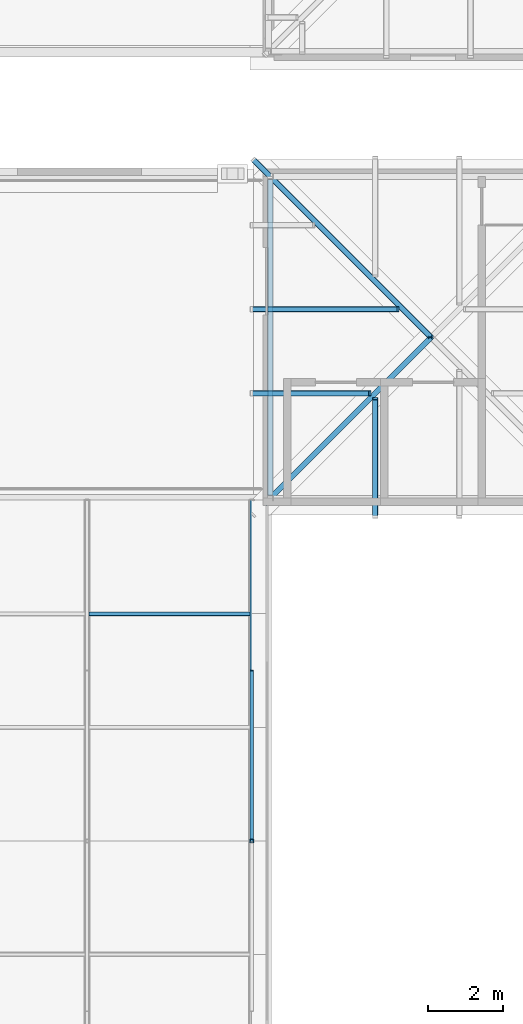
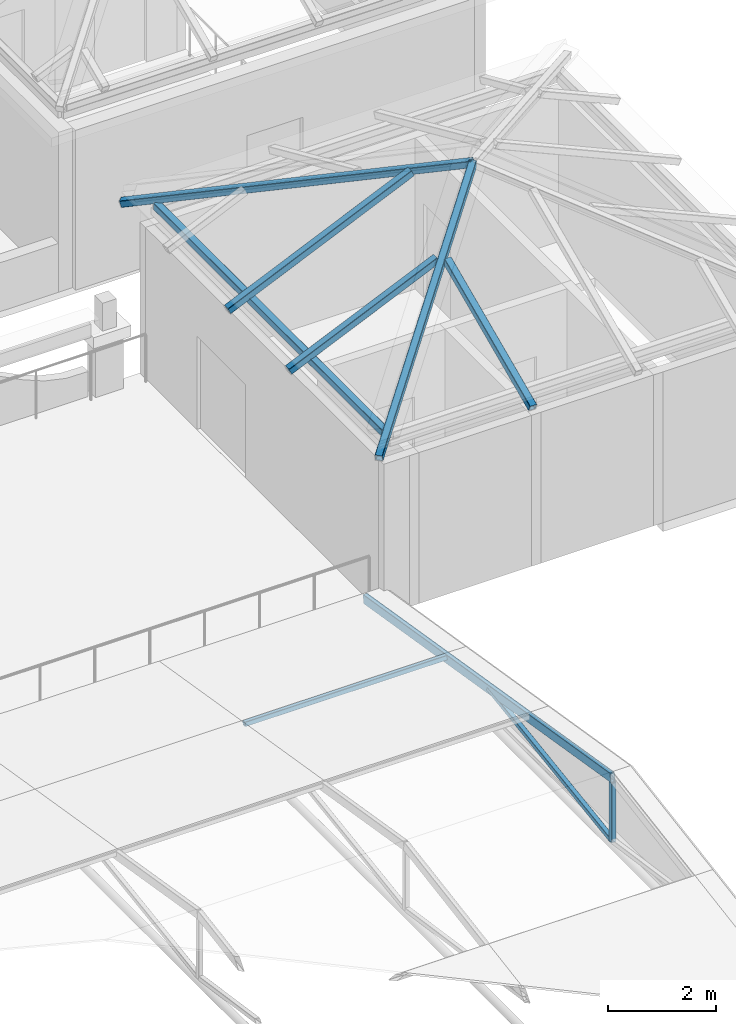
# One storey, part 12 of 69: 10 members.
"""IFC4 building model written with IfcOpenShell, lengths in metres."""

from ifc_helpers import new_model, si_unit, direction, frame, origin, origin_2d, place, context, subcontext, project, spatial, hollow_rectangle, extrude, material, material_profile, profile_set, type_object, element, save


model = new_model("IFC4")

# Units and contexts
model_context = context("Model", 3, precision=1e-05, world=origin(), true_north=direction((0.0, 1.0)))
body_context = subcontext(model_context, "Body", "Model", "MODEL_VIEW")
ifc_project = project(units=[si_unit("LENGTHUNIT", "METRE"), si_unit("AREAUNIT", "SQUARE_METRE"), si_unit("VOLUMEUNIT", "CUBIC_METRE"), si_unit("PLANEANGLEUNIT", "RADIAN"), si_unit("MASSUNIT", "GRAM", prefix="KILO")], contexts=[model_context])

# Site, building, storey
site_placement = place(None, origin())
site = spatial("IfcSite", under=ifc_project, at=site_placement, CompositionType="ELEMENT")
building_placement = place(site_placement, origin())
building = spatial("IfcBuilding", under=site, at=building_placement, Name="Kallimachos Central Library", CompositionType="ELEMENT")
storey_placement = place(building_placement, frame((0.0, 0.0, 23.39990234375)))
storey = spatial("IfcBuildingStorey", under=building, at=storey_placement, Name="L05", CompositionType="ELEMENT", Elevation=23.39990234375)

# Members
ifc_material_1 = material(Name="Steel S355J2H", Category="steel")
ifc_material_profile_1 = material_profile(ifc_material_1, hollow_rectangle(XDim=0.10009765625, YDim=0.199951171875, WallThickness=0.008056640625, InnerFilletRadius=0.008056640625, OuterFilletRadius=0.011962890625, at=origin_2d()), Name="RHS 200x100x8")
ifc_profile_set_1 = profile_set([ifc_material_profile_1], Name="Steel S355J2H")
member_type_1 = type_object("IfcMemberType", Name="RHS 200x100x8 rafter", PredefinedType="RAFTER", material=ifc_profile_set_1)
member_1_placement = place(storey_placement, frame((101.199951171875, 75.14990234375, 0.391357421875), z_axis=(0.0, -0.986728292904, 0.162380035666), x_axis=(1.0, 0.0, 0.0)))
element("IfcMember", 1, at=member_1_placement, inside=storey, type_object=member_type_1, Name="V4-MEM-L05-078", PredefinedType="RAFTER", context=body_context, shape_type="SweptSolid", body=[
    extrude(hollow_rectangle(XDim=0.10009765625, YDim=0.199951171875, WallThickness=0.008056640625, InnerFilletRadius=0.008056640625, OuterFilletRadius=0.011962890625, at=origin_2d()), origin(), (0.0, 0.0, 1.0), 9.237548828125),
])
ifc_material_2 = material(Name="Steel S355J2H", Category="steel")
ifc_material_profile_2 = material_profile(ifc_material_2, hollow_rectangle(XDim=0.10009765625, YDim=0.10009765625, WallThickness=0.008056640625, InnerFilletRadius=0.008056640625, OuterFilletRadius=0.011962890625, at=origin_2d()), Name="SHS 100x100x8")
ifc_profile_set_2 = profile_set([ifc_material_profile_2], Name="Steel S355J2H")
member_type_2 = type_object("IfcMemberType", Name="SHS 100x100x8 king post", PredefinedType="POST", material=ifc_profile_set_2)
member_2_placement = place(storey_placement, frame((101.199951171875, 66.034912109375, 0.45849609375), z_axis=(0.0, 0.0, 1.0), x_axis=(1.0, 0.0, 0.0)))
element("IfcMember", 2, at=member_2_placement, inside=storey, type_object=member_type_2, Name="V4-MEM-L05-080", PredefinedType="POST", context=body_context, shape_type="SweptSolid", body=[
    extrude(hollow_rectangle(XDim=0.10009765625, YDim=0.10009765625, WallThickness=0.008056640625, InnerFilletRadius=0.008056640625, OuterFilletRadius=0.011962890625, at=origin_2d()), origin(), (0.0, 0.0, 1.0), 1.33154296875),
])
ifc_material_3 = material(Name="Steel S355J2H", Category="steel")
ifc_material_profile_3 = material_profile(ifc_material_3, hollow_rectangle(XDim=0.10009765625, YDim=0.10009765625, WallThickness=0.008056640625, InnerFilletRadius=0.008056640625, OuterFilletRadius=0.011962890625, at=origin_2d()), Name="SHS 100x100x8")
ifc_profile_set_3 = profile_set([ifc_material_profile_3], Name="Steel S355J2H")
member_type_3 = type_object("IfcMemberType", Name="SHS 100x100x8 purlin", PredefinedType="PURLIN", material=ifc_profile_set_3)
member_3_placement = place(storey_placement, frame((96.85009765625, 72.103515625, 0.943359375), z_axis=(1.0, 0.0, 0.0), x_axis=(0.0, 0.986728320778, -0.162379866283)))
element("IfcMember", 3, at=member_3_placement, inside=storey, type_object=member_type_3, Name="V4-MEM-L05-100", PredefinedType="PURLIN", context=body_context, shape_type="SweptSolid", body=[
    extrude(hollow_rectangle(XDim=0.10009765625, YDim=0.10009765625, WallThickness=0.008056640625, InnerFilletRadius=0.008056640625, OuterFilletRadius=0.011962890625, at=origin_2d()), origin(), (0.0, 0.0, 1.0), 4.2998046875),
])
ifc_material_4 = material(Name="Steel S355J2H", Category="steel")
ifc_material_profile_4 = material_profile(ifc_material_4, hollow_rectangle(XDim=0.10009765625, YDim=0.10009765625, WallThickness=0.008056640625, InnerFilletRadius=0.008056640625, OuterFilletRadius=0.011962890625, at=origin_2d()), Name="SHS 100x100x8")
ifc_profile_set_4 = profile_set([ifc_material_profile_4], Name="Steel S355J2H")
member_type_4 = type_object("IfcMemberType", Name="SHS 100x100x8 strut", PredefinedType="STRUT", material=ifc_profile_set_4)
member_4_placement = place(storey_placement, frame((101.199951171875, 66.034912109375, 0.474365234375), z_axis=(0.0, 0.989460323252, 0.144804242721), x_axis=(-1.0, 0.0, 0.0)))
element("IfcMember", 4, at=member_4_placement, inside=storey, type_object=member_type_4, Name="V4-MEM-L05-082", PredefinedType="STRUT", context=body_context, shape_type="SweptSolid", body=[
    extrude(hollow_rectangle(XDim=0.10009765625, YDim=0.10009765625, WallThickness=0.008056640625, InnerFilletRadius=0.008056640625, OuterFilletRadius=0.011962890625, at=origin_2d()), origin(), (0.0, 0.0, 1.0), 4.606201171875),
])
ifc_material_5 = material(Name="Steel S355J2H", Category="steel")
ifc_material_profile_5 = material_profile(ifc_material_5, hollow_rectangle(XDim=0.14990234375, YDim=0.14990234375, WallThickness=0.010009765625, InnerFilletRadius=0.010009765625, OuterFilletRadius=0.014892578125, at=origin_2d()), Name="SHS 150x150x10")
ifc_profile_set_5 = profile_set([ifc_material_profile_5], Name="Steel S355J2H")
member_type_5 = type_object("IfcMemberType", Name="SHS 150x150x10 eaves bearer", PredefinedType="STRINGER", material=ifc_profile_set_5)
member_5_placement = place(storey_placement, frame((101.699951171875, 75.27490234375, 3.875), z_axis=(0.0, 1.0, 0.0), x_axis=(-1.0, 0.0, 0.0)))
element("IfcMember", 5, at=member_5_placement, inside=storey, type_object=member_type_5, Name="Head-house roof V4-NE eaves bearer W", PredefinedType="STRINGER", context=body_context, shape_type="SweptSolid", body=[
    extrude(hollow_rectangle(XDim=0.14990234375, YDim=0.14990234375, WallThickness=0.010009765625, InnerFilletRadius=0.010009765625, OuterFilletRadius=0.014892578125, at=origin_2d()), origin(), (0.0, 0.0, 1.0), 8.4501953125),
])
ifc_material_6 = material(Name="Steel S355J2H", Category="steel")
ifc_material_profile_6 = material_profile(ifc_material_6, hollow_rectangle(XDim=0.14990234375, YDim=0.14990234375, WallThickness=0.010009765625, InnerFilletRadius=0.010009765625, OuterFilletRadius=0.014892578125, at=origin_2d()), Name="SHS 150x150x10")
ifc_profile_set_6 = profile_set([ifc_material_profile_6], Name="Steel S355J2H")
member_type_6 = type_object("IfcMemberType", Name="SHS 150x150x10 rafter", PredefinedType="RAFTER", material=ifc_profile_set_6)
for number, where, z_axis, x_axis, name in (
    (6, (104.5, 74.699951171875, 3.8095703125), (0.0, 0.913546509307, 0.40673428099), (-1.0, 0.0, 0.0), "Head-house roof V4-NE rafter"),
    (7, (101.199951171875, 78.0, 3.8095703125), (0.913546509307, 0.0, 0.40673428099), (0.0, 1.0, 0.0), "Head-house roof V4-NE rafter"),
):
    element("IfcMember", number, at=place(storey_placement, frame(where, z_axis=z_axis, x_axis=x_axis)), inside=storey, type_object=member_type_6, Name=name, PredefinedType="RAFTER", context=body_context, shape_type="SweptSolid", body=[
        extrude(hollow_rectangle(XDim=0.14990234375, YDim=0.14990234375, WallThickness=0.010009765625, InnerFilletRadius=0.010009765625, OuterFilletRadius=0.014892578125, at=origin_2d()), origin(), (0.0, 0.0, 1.0), 3.459228515625),
    ])
member_6_placement = place(storey_placement, frame((101.199951171875, 80.25, 3.8095703125), z_axis=(0.913540850468, 0.0, 0.406746990802), x_axis=(0.0, 1.0, 0.0)))
element("IfcMember", 8, at=member_6_placement, inside=storey, type_object=member_type_6, Name="Head-house roof V4-NE rafter", PredefinedType="RAFTER", context=body_context, shape_type="SweptSolid", body=[
    extrude(hollow_rectangle(XDim=0.14990234375, YDim=0.14990234375, WallThickness=0.010009765625, InnerFilletRadius=0.010009765625, OuterFilletRadius=0.014892578125, at=origin_2d()), origin(), (0.0, 0.0, 1.0), 4.2802734375),
])
ifc_material_7 = material(Name="Steel S355J2H", Category="steel")
ifc_material_profile_7 = material_profile(ifc_material_7, hollow_rectangle(XDim=0.14990234375, YDim=0.14990234375, WallThickness=0.010009765625, InnerFilletRadius=0.010009765625, OuterFilletRadius=0.014892578125, at=origin_2d()), Name="SHS 150x150x10")
ifc_profile_set_7 = profile_set([ifc_material_profile_7], Name="Steel S355J2H")
member_type_7 = type_object("IfcMemberType", Name="SHS 200x200x10 hip rafter", PredefinedType="RAFTER", material=ifc_profile_set_7)
for number, where, z_axis, x_axis, name in (
    (9, (101.25, 74.75, 3.78173828125), (0.674474048899, 0.674474048899, 0.300282391631), (-0.707106781187, 0.707106781187, 0.0), "Head-house roof V4-NE hip"),
    (10, (101.25, 84.25, 3.78173828125), (0.674474048899, -0.674474048899, 0.300282391631), (0.707106781187, 0.707106781187, 0.0), "Head-house roof V4-NE hip"),
):
    element("IfcMember", number, at=place(storey_placement, frame(where, z_axis=z_axis, x_axis=x_axis)), inside=storey, type_object=member_type_7, Name=name, PredefinedType="RAFTER", context=body_context, shape_type="SweptSolid", body=[
        extrude(hollow_rectangle(XDim=0.14990234375, YDim=0.14990234375, WallThickness=0.010009765625, InnerFilletRadius=0.010009765625, OuterFilletRadius=0.014892578125, at=origin_2d()), origin(), (0.0, 0.0, 1.0), 7.04248046875),
    ])

save(model, "model.ifc")
